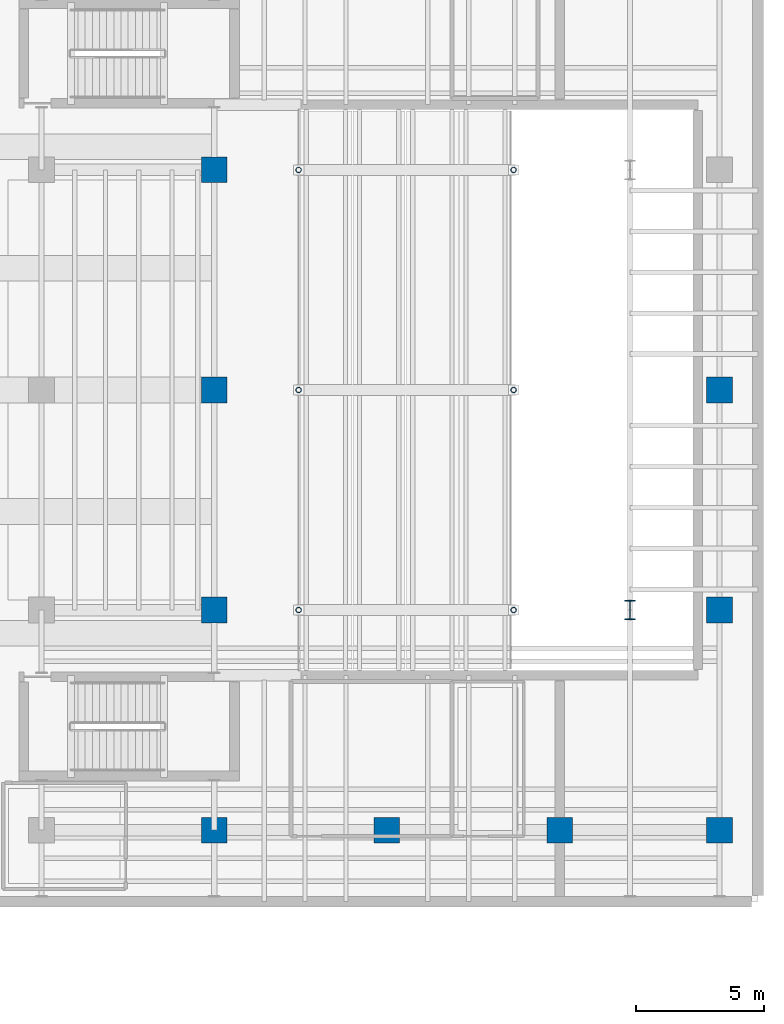
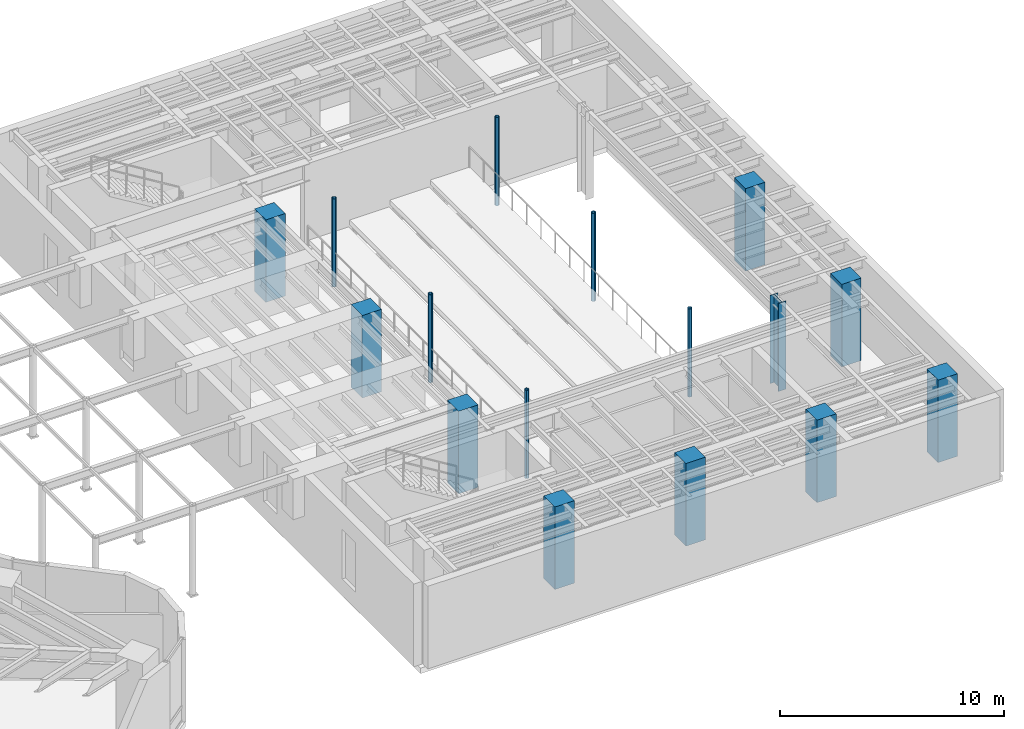
# One storey, part 5 of 24: 16 columns.
"""IFC4 building model written with IfcOpenShell, lengths in metres."""

from ifc_helpers import new_model, si_unit, direction, frame, origin, origin_2d, place, context, subcontext, project, spatial, rectangle, hollow_circle, i_section, extrude, material, material_profile, profile_set, type_object, element, save


model = new_model("IFC4")

# Units and contexts
model_context = context("Model", 3, precision=1e-05, world=origin(), true_north=direction((0.0, 1.0)))
body_context = subcontext(model_context, "Body", "Model", "MODEL_VIEW")
ifc_project = project(units=[si_unit("LENGTHUNIT", "METRE"), si_unit("AREAUNIT", "SQUARE_METRE"), si_unit("VOLUMEUNIT", "CUBIC_METRE"), si_unit("PLANEANGLEUNIT", "RADIAN"), si_unit("MASSUNIT", "GRAM", prefix="KILO")], contexts=[model_context])

# Site, building, storey
site_placement = place(None, origin())
site = spatial("IfcSite", under=ifc_project, at=site_placement, CompositionType="ELEMENT")
building_placement = place(site_placement, origin())
building = spatial("IfcBuilding", under=site, at=building_placement, Name="Korentha Bioscience Tower", CompositionType="ELEMENT")
storey_placement = place(building_placement, frame((0.0, 0.0, 5.39990234375)))
storey = spatial("IfcBuildingStorey", under=building, at=storey_placement, Name="L01", CompositionType="ELEMENT", Elevation=5.39990234375)

# Columns
ifc_material_1 = material(Name="Steel S355", Category="steel")
ifc_material_profile_1 = material_profile(ifc_material_1, i_section(OverallWidth=0.39990234375, OverallDepth=0.75, WebThickness=0.01611328125, FlangeThickness=0.028076171875, at=origin_2d()), Name="Steel S355")
ifc_profile_set_1 = profile_set([ifc_material_profile_1], Name="Steel S355 (TC-02)")
column_type_1 = type_object("IfcColumnType", Name="Theatre Fly-Tower Column CVS 750x256", PredefinedType="COLUMN", material=ifc_profile_set_1)
column_placement = place(storey_placement, frame((89.5, 18.39990234375, -0.2998046875), z_axis=(0.0, 0.0, 1.0), x_axis=(1.0, 0.0, 0.0)))
element("IfcColumn", 1, at=column_placement, inside=storey, type_object=column_type_1, Name="L01 Fly-Tower Steel Column S", PredefinedType="COLUMN", context=body_context, shape_type="SweptSolid", body=[
    extrude(i_section(OverallWidth=0.39990234375, OverallDepth=0.75, WebThickness=0.01611328125, FlangeThickness=0.028076171875, at=origin_2d()), origin(), (0.0, 0.0, 1.0), 4.7998046875),
])
ifc_material_2 = material(Name="Concrete C50", Category="concrete")
ifc_material_profile_2 = material_profile(ifc_material_2, rectangle(XDim=1.0, YDim=1.0, at=origin_2d()), Name="Concrete C50")
ifc_profile_set_2 = profile_set([ifc_material_profile_2], Name="Concrete C50 (TC-I01)")
column_type_2 = type_object("IfcColumnType", Name="Theatre Interior Column RC 1000x1000", PredefinedType="COLUMN", material=ifc_profile_set_2)
for number, where, z_axis, x_axis, name in (
    (2, (73.25, 18.39990234375, 0.0), (0.0, 0.0, 1.0), (1.0, 0.0, 0.0), "L01 Theatre Column 2-2"),
    (3, (73.25, 27.0, 0.0), (0.0, 0.0, 1.0), (1.0, 0.0, 0.0), "L01 Theatre Column 2-3"),
    (4, (73.25, 35.60009765625, 0.0), (0.0, 0.0, 1.0), (1.0, 0.0, 0.0), "L01 Theatre Column 2-4"),
):
    element("IfcColumn", number, at=place(storey_placement, frame(where, z_axis=z_axis, x_axis=x_axis)), inside=storey, type_object=column_type_2, Name=name, PredefinedType="COLUMN", context=body_context, shape_type="SweptSolid", body=[
        extrude(rectangle(XDim=1.0, YDim=1.0, at=origin_2d()), origin(), (0.0, 0.0, 1.0), 4.5),
    ])
ifc_material_profile_3 = material_profile(ifc_material_2, rectangle(XDim=1.0, YDim=1.0, at=origin_2d()), Name="Concrete C50")
ifc_profile_set_3 = profile_set([ifc_material_profile_3], Name="Concrete C50 (TC-01)")
column_type_3 = type_object("IfcColumnType", Name="Theatre Primary Column RC 1000x1000", PredefinedType="COLUMN", material=ifc_profile_set_3)
for number, where, z_axis, x_axis, name in (
    (5, (73.25, 9.800048828125, 0.0), (0.0, 0.0, 1.0), (1.0, 0.0, 0.0), "L01 Theatre Column 2-1"),
    (6, (80.0, 9.800048828125, 0.0), (0.0, 0.0, 1.0), (1.0, 0.0, 0.0), "L01 Theatre Column 3-1"),
    (7, (86.75, 9.800048828125, 0.0), (0.0, 0.0, 1.0), (1.0, 0.0, 0.0), "L01 Theatre Column 4-1"),
    (8, (93.0, 9.800048828125, 0.0), (0.0, 0.0, 1.0), (1.0, 0.0, 0.0), "L01 Theatre Column 5-1"),
    (9, (93.0, 18.39990234375, 0.0), (0.0, 0.0, 1.0), (1.0, 0.0, 0.0), "L01 Theatre Column 5-2"),
    (10, (93.0, 27.0, 0.0), (0.0, 0.0, 1.0), (1.0, 0.0, 0.0), "L01 Theatre Column 5-3"),
):
    element("IfcColumn", number, at=place(storey_placement, frame(where, z_axis=z_axis, x_axis=x_axis)), inside=storey, type_object=column_type_3, Name=name, PredefinedType="COLUMN", context=body_context, shape_type="SweptSolid", body=[
        extrude(rectangle(XDim=1.0, YDim=1.0, at=origin_2d()), origin(), (0.0, 0.0, 1.0), 4.5),
    ])
ifc_material_profile_4 = material_profile(ifc_material_1, hollow_circle(Radius=0.109619140625, WallThickness=0.012451171875, at=origin_2d()), Name="Steel S355")
ifc_profile_set_4 = profile_set([ifc_material_profile_4], Name="Steel S355 (TC-P219)")
column_type_4 = type_object("IfcColumnType", Name="Theatre Tier Support Post CHS 219.1x12.5", PredefinedType="COLUMN", material=ifc_profile_set_4)
for number, where, z_axis, x_axis, name in (
    (11, (84.949951171875, 18.39990234375, 0.76708984375), (0.0, 0.0, 1.0), (1.0, 0.0, 0.0), "L02 Auditorium Raker Support Post E-18"),
    (12, (76.550048828125, 18.39990234375, -0.724853515625), (0.0, 0.0, 1.0), (1.0, 0.0, 0.0), "L02 Auditorium Raker Support Post W-18"),
    (13, (84.949951171875, 27.0, 0.76708984375), (0.0, 0.0, 1.0), (1.0, 0.0, 0.0), "L02 Auditorium Raker Support Post E-27"),
    (14, (76.550048828125, 27.0, -0.724853515625), (0.0, 0.0, 1.0), (1.0, 0.0, 0.0), "L02 Auditorium Raker Support Post W-27"),
    (15, (84.949951171875, 35.60009765625, 0.76708984375), (0.0, 0.0, 1.0), (1.0, 0.0, 0.0), "L02 Auditorium Raker Support Post E-35"),
    (16, (76.550048828125, 35.60009765625, -0.724853515625), (0.0, 0.0, 1.0), (1.0, 0.0, 0.0), "L02 Auditorium Raker Support Post W-35"),
):
    element("IfcColumn", number, at=place(storey_placement, frame(where, z_axis=z_axis, x_axis=x_axis)), inside=storey, type_object=column_type_4, Name=name, PredefinedType="COLUMN", context=body_context, shape_type="SweptSolid", body=[
        extrude(hollow_circle(Radius=0.109619140625, WallThickness=0.012451171875, at=origin_2d()), origin(), (0.0, 0.0, 1.0), 4.800048828125),
    ])

save(model, "model.ifc")
